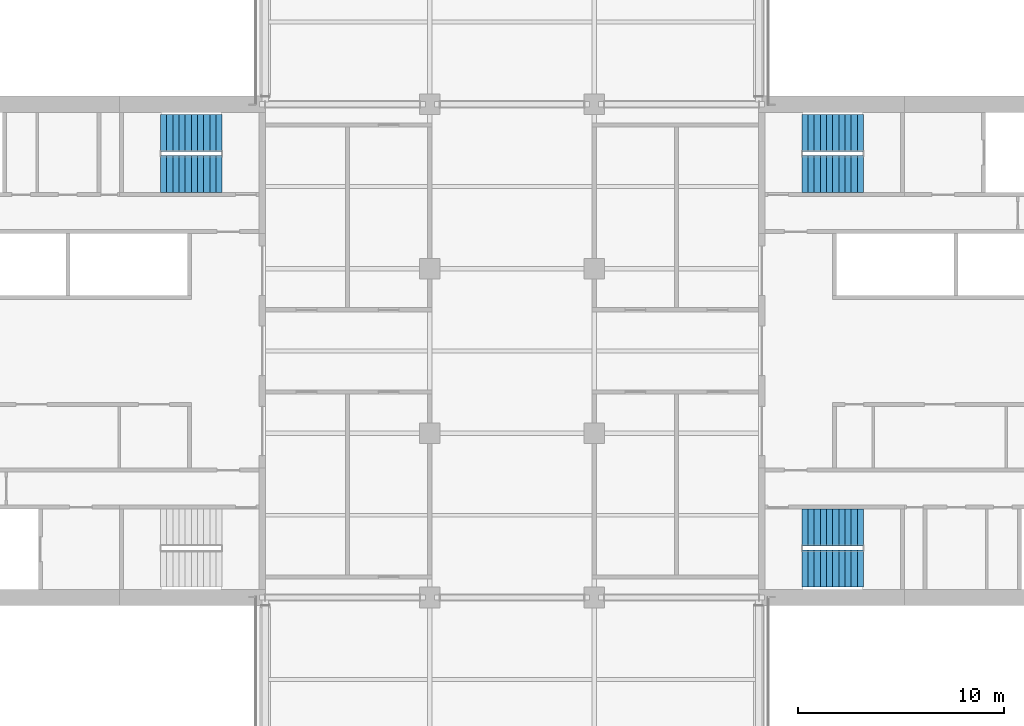
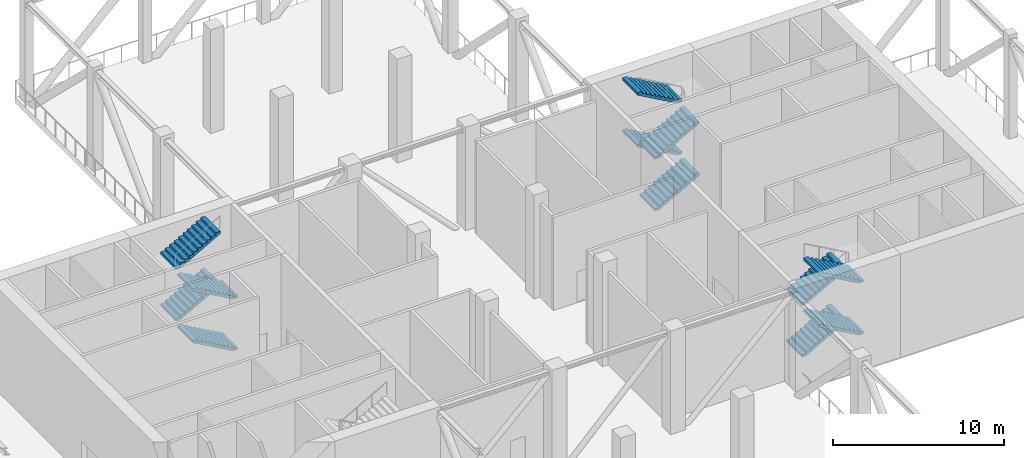
# One storey, part 7 of 18: 12 stair flights, 3 elements without a shape of their own.
"""IFC4 building model written with IfcOpenShell, lengths in metres."""

from ifc_helpers import new_model, si_unit, direction, frame, origin, place, context, subcontext, project, spatial, polyline, outline, extrude, material, type_object, element, aggregate, save


model = new_model("IFC4")

# Units and contexts
model_context = context("Model", 3, precision=1e-05, world=origin(), true_north=direction((0.0, 1.0)))
body_context = subcontext(model_context, "Body", "Model", "MODEL_VIEW")
ifc_project = project(units=[si_unit("LENGTHUNIT", "METRE"), si_unit("AREAUNIT", "SQUARE_METRE"), si_unit("VOLUMEUNIT", "CUBIC_METRE"), si_unit("PLANEANGLEUNIT", "RADIAN"), si_unit("MASSUNIT", "GRAM", prefix="KILO")], contexts=[model_context])

# Site, building, storey
site_placement = place(None, origin())
site = spatial("IfcSite", under=ifc_project, at=site_placement, CompositionType="ELEMENT")
building_placement = place(site_placement, origin())
building = spatial("IfcBuilding", under=site, at=building_placement, Name="Crosswind Convention Tower", CompositionType="ELEMENT")
storey_placement = place(building_placement, frame((0.0, 0.0, 105.300048828125)))
storey = spatial("IfcBuildingStorey", under=building, at=storey_placement, Name="L21", CompositionType="ELEMENT", Elevation=105.300048828125)

# Stair, stair flights
ifc_material = material(Name="Concrete C40/50", Category="concrete")
stair_type = type_object("IfcStairType", Name="Exit stair 1800 wide, 4 flights of 11 risers", PredefinedType="HALF_TURN_STAIR", material=ifc_material)
stair_1_placement = place(storey_placement, origin())
stair_1 = element("IfcStair", 1, at=stair_1_placement, inside=storey, type_object=stair_type, Name="Exit stair ST1 L21", ObjectType="ST6", PredefinedType="HALF_TURN_STAIR")
stair_flight_type = type_object("IfcStairFlightType", Name="Stair flight 1800 wide, 11 risers (SF3)", PredefinedType="STRAIGHT", material=ifc_material)
stair_flight_1_placement = place(storey_placement, frame((139.10009765625, 108.60009765625, 0.0), z_axis=(0.0, 0.0, 1.0), x_axis=(1.0, 0.0, 0.0)))
stair_flight_1 = element("IfcStairFlight", 2, at=stair_flight_1_placement, type_object=stair_flight_type, Name="ST1 flight 1", NumberOfRisers=11, NumberOfTreads=10, PredefinedType="STRAIGHT", RiserHeight=0.168181818, TreadLength=0.3, context=body_context, shape_type="SweptSolid", body=[
    extrude(outline(polyline([(0.0, 0.0), (0.0, 0.168212890625), (0.300048828125, 0.168212890625), (0.300048828125, 0.33642578125), (0.60009765625, 0.33642578125), (0.60009765625, 0.504638671875), (0.89990234375, 0.504638671875), (0.89990234375, 0.672607421875), (1.199951171875, 0.672607421875), (1.199951171875, 0.8408203125), (1.5, 0.8408203125), (1.5, 1.009033203125), (1.800048828125, 1.009033203125), (1.800048828125, 1.17724609375), (2.10009765625, 1.17724609375), (2.10009765625, 1.345458984375), (2.39990234375, 1.345458984375), (2.39990234375, 1.513671875), (2.699951171875, 1.513671875), (2.699951171875, 1.681884765625), (3.0, 1.681884765625), (3.0, 1.85009765625), (3.0, 1.510009765625), (0.306640625, 0.0), (0.0, 0.0)])), frame((0.0, 0.89990234375, 0.0), z_axis=(0.0, -1.0, 0.0), x_axis=(1.0, 0.0, 0.0)), (0.0, 0.0, 1.0), 1.800048828125),
])
stair_flight_2_placement = place(storey_placement, frame((142.10009765625, 110.60009765625, 1.849853515625), z_axis=(0.0, 0.0, 1.0), x_axis=(-1.0, 0.0, 0.0)))
stair_flight_2 = element("IfcStairFlight", 3, at=stair_flight_2_placement, type_object=stair_flight_type, Name="ST1 flight 2", NumberOfRisers=11, NumberOfTreads=10, PredefinedType="STRAIGHT", RiserHeight=0.168181818, TreadLength=0.3, context=body_context, shape_type="SweptSolid", body=[
    extrude(outline(polyline([(0.0, 0.0), (0.0, 0.168212890625), (0.300048828125, 0.168212890625), (0.300048828125, 0.33642578125), (0.60009765625, 0.33642578125), (0.60009765625, 0.504638671875), (0.89990234375, 0.504638671875), (0.89990234375, 0.672607421875), (1.199951171875, 0.672607421875), (1.199951171875, 0.8408203125), (1.5, 0.8408203125), (1.5, 1.009033203125), (1.800048828125, 1.009033203125), (1.800048828125, 1.17724609375), (2.10009765625, 1.17724609375), (2.10009765625, 1.345458984375), (2.39990234375, 1.345458984375), (2.39990234375, 1.513671875), (2.699951171875, 1.513671875), (2.699951171875, 1.681884765625), (3.0, 1.681884765625), (3.0, 1.85009765625), (3.0, 1.510009765625), (0.306640625, 0.0), (0.0, 0.0)])), frame((0.0, 0.89990234375, 0.0), z_axis=(0.0, -1.0, 0.0), x_axis=(1.0, 0.0, 0.0)), (0.0, 0.0, 1.0), 1.800048828125),
])
stair_flight_3_placement = place(storey_placement, frame((139.10009765625, 108.60009765625, 3.699951171875), z_axis=(0.0, 0.0, 1.0), x_axis=(1.0, 0.0, 0.0)))
stair_flight_3 = element("IfcStairFlight", 4, at=stair_flight_3_placement, type_object=stair_flight_type, Name="ST1 flight 3", NumberOfRisers=11, NumberOfTreads=10, PredefinedType="STRAIGHT", RiserHeight=0.168181818, TreadLength=0.3, context=body_context, shape_type="SweptSolid", body=[
    extrude(outline(polyline([(0.0, 0.0), (0.0, 0.168212890625), (0.300048828125, 0.168212890625), (0.300048828125, 0.33642578125), (0.60009765625, 0.33642578125), (0.60009765625, 0.504638671875), (0.89990234375, 0.504638671875), (0.89990234375, 0.672607421875), (1.199951171875, 0.672607421875), (1.199951171875, 0.8408203125), (1.5, 0.8408203125), (1.5, 1.009033203125), (1.800048828125, 1.009033203125), (1.800048828125, 1.17724609375), (2.10009765625, 1.17724609375), (2.10009765625, 1.345458984375), (2.39990234375, 1.345458984375), (2.39990234375, 1.513671875), (2.699951171875, 1.513671875), (2.699951171875, 1.681884765625), (3.0, 1.681884765625), (3.0, 1.85009765625), (3.0, 1.510009765625), (0.306640625, 0.0), (0.0, 0.0)])), frame((0.0, 0.89990234375, 0.0), z_axis=(0.0, -1.0, 0.0), x_axis=(1.0, 0.0, 0.0)), (0.0, 0.0, 1.0), 1.800048828125),
])
stair_flight_4_placement = place(storey_placement, frame((142.10009765625, 110.60009765625, 5.550048828125), z_axis=(0.0, 0.0, 1.0), x_axis=(-1.0, 0.0, 0.0)))
stair_flight_4 = element("IfcStairFlight", 5, at=stair_flight_4_placement, type_object=stair_flight_type, Name="ST1 flight 4", NumberOfRisers=11, NumberOfTreads=10, PredefinedType="STRAIGHT", RiserHeight=0.168181818, TreadLength=0.3, context=body_context, shape_type="SweptSolid", body=[
    extrude(outline(polyline([(0.0, 0.0), (0.0, 0.168212890625), (0.300048828125, 0.168212890625), (0.300048828125, 0.33642578125), (0.60009765625, 0.33642578125), (0.60009765625, 0.504638671875), (0.89990234375, 0.504638671875), (0.89990234375, 0.672607421875), (1.199951171875, 0.672607421875), (1.199951171875, 0.8408203125), (1.5, 0.8408203125), (1.5, 1.009033203125), (1.800048828125, 1.009033203125), (1.800048828125, 1.17724609375), (2.10009765625, 1.17724609375), (2.10009765625, 1.345458984375), (2.39990234375, 1.345458984375), (2.39990234375, 1.513671875), (2.699951171875, 1.513671875), (2.699951171875, 1.681884765625), (3.0, 1.681884765625), (3.0, 1.85009765625), (3.0, 1.510009765625), (0.306640625, 0.0), (0.0, 0.0)])), frame((0.0, 0.89990234375, 0.0), z_axis=(0.0, -1.0, 0.0), x_axis=(1.0, 0.0, 0.0)), (0.0, 0.0, 1.0), 1.800048828125),
])
aggregate(stair_1, [stair_flight_1, stair_flight_2, stair_flight_3, stair_flight_4])

stair_2_placement = place(storey_placement, origin())
stair_2 = element("IfcStair", 6, at=stair_2_placement, inside=storey, type_object=stair_type, Name="Exit stair ST2 L21", ObjectType="ST6", PredefinedType="HALF_TURN_STAIR")
stair_flight_5_placement = place(storey_placement, frame((139.10009765625, 91.39990234375, 0.0), z_axis=(0.0, 0.0, 1.0), x_axis=(1.0, 0.0, 0.0)))
stair_flight_5 = element("IfcStairFlight", 7, at=stair_flight_5_placement, type_object=stair_flight_type, Name="ST2 flight 1", NumberOfRisers=11, NumberOfTreads=10, PredefinedType="STRAIGHT", RiserHeight=0.168181818, TreadLength=0.3, context=body_context, shape_type="SweptSolid", body=[
    extrude(outline(polyline([(0.0, 0.0), (0.0, 0.168212890625), (0.300048828125, 0.168212890625), (0.300048828125, 0.33642578125), (0.60009765625, 0.33642578125), (0.60009765625, 0.504638671875), (0.89990234375, 0.504638671875), (0.89990234375, 0.672607421875), (1.199951171875, 0.672607421875), (1.199951171875, 0.8408203125), (1.5, 0.8408203125), (1.5, 1.009033203125), (1.800048828125, 1.009033203125), (1.800048828125, 1.17724609375), (2.10009765625, 1.17724609375), (2.10009765625, 1.345458984375), (2.39990234375, 1.345458984375), (2.39990234375, 1.513671875), (2.699951171875, 1.513671875), (2.699951171875, 1.681884765625), (3.0, 1.681884765625), (3.0, 1.85009765625), (3.0, 1.510009765625), (0.306640625, 0.0), (0.0, 0.0)])), frame((0.0, 0.89990234375, 0.0), z_axis=(0.0, -1.0, 0.0), x_axis=(1.0, 0.0, 0.0)), (0.0, 0.0, 1.0), 1.800048828125),
])
stair_flight_6_placement = place(storey_placement, frame((142.10009765625, 89.39990234375, 1.849853515625), z_axis=(0.0, 0.0, 1.0), x_axis=(-1.0, 0.0, 0.0)))
stair_flight_6 = element("IfcStairFlight", 8, at=stair_flight_6_placement, type_object=stair_flight_type, Name="ST2 flight 2", NumberOfRisers=11, NumberOfTreads=10, PredefinedType="STRAIGHT", RiserHeight=0.168181818, TreadLength=0.3, context=body_context, shape_type="SweptSolid", body=[
    extrude(outline(polyline([(0.0, 0.0), (0.0, 0.168212890625), (0.300048828125, 0.168212890625), (0.300048828125, 0.33642578125), (0.60009765625, 0.33642578125), (0.60009765625, 0.504638671875), (0.89990234375, 0.504638671875), (0.89990234375, 0.672607421875), (1.199951171875, 0.672607421875), (1.199951171875, 0.8408203125), (1.5, 0.8408203125), (1.5, 1.009033203125), (1.800048828125, 1.009033203125), (1.800048828125, 1.17724609375), (2.10009765625, 1.17724609375), (2.10009765625, 1.345458984375), (2.39990234375, 1.345458984375), (2.39990234375, 1.513671875), (2.699951171875, 1.513671875), (2.699951171875, 1.681884765625), (3.0, 1.681884765625), (3.0, 1.85009765625), (3.0, 1.510009765625), (0.306640625, 0.0), (0.0, 0.0)])), frame((0.0, 0.89990234375, 0.0), z_axis=(0.0, -1.0, 0.0), x_axis=(1.0, 0.0, 0.0)), (0.0, 0.0, 1.0), 1.800048828125),
])
stair_flight_7_placement = place(storey_placement, frame((139.10009765625, 91.39990234375, 3.699951171875), z_axis=(0.0, 0.0, 1.0), x_axis=(1.0, 0.0, 0.0)))
stair_flight_7 = element("IfcStairFlight", 9, at=stair_flight_7_placement, type_object=stair_flight_type, Name="ST2 flight 3", NumberOfRisers=11, NumberOfTreads=10, PredefinedType="STRAIGHT", RiserHeight=0.168181818, TreadLength=0.3, context=body_context, shape_type="SweptSolid", body=[
    extrude(outline(polyline([(0.0, 0.0), (0.0, 0.168212890625), (0.300048828125, 0.168212890625), (0.300048828125, 0.33642578125), (0.60009765625, 0.33642578125), (0.60009765625, 0.504638671875), (0.89990234375, 0.504638671875), (0.89990234375, 0.672607421875), (1.199951171875, 0.672607421875), (1.199951171875, 0.8408203125), (1.5, 0.8408203125), (1.5, 1.009033203125), (1.800048828125, 1.009033203125), (1.800048828125, 1.17724609375), (2.10009765625, 1.17724609375), (2.10009765625, 1.345458984375), (2.39990234375, 1.345458984375), (2.39990234375, 1.513671875), (2.699951171875, 1.513671875), (2.699951171875, 1.681884765625), (3.0, 1.681884765625), (3.0, 1.85009765625), (3.0, 1.510009765625), (0.306640625, 0.0), (0.0, 0.0)])), frame((0.0, 0.89990234375, 0.0), z_axis=(0.0, -1.0, 0.0), x_axis=(1.0, 0.0, 0.0)), (0.0, 0.0, 1.0), 1.800048828125),
])
stair_flight_8_placement = place(storey_placement, frame((142.10009765625, 89.39990234375, 5.550048828125), z_axis=(0.0, 0.0, 1.0), x_axis=(-1.0, 0.0, 0.0)))
stair_flight_8 = element("IfcStairFlight", 10, at=stair_flight_8_placement, type_object=stair_flight_type, Name="ST2 flight 4", NumberOfRisers=11, NumberOfTreads=10, PredefinedType="STRAIGHT", RiserHeight=0.168181818, TreadLength=0.3, context=body_context, shape_type="SweptSolid", body=[
    extrude(outline(polyline([(0.0, 0.0), (0.0, 0.168212890625), (0.300048828125, 0.168212890625), (0.300048828125, 0.33642578125), (0.60009765625, 0.33642578125), (0.60009765625, 0.504638671875), (0.89990234375, 0.504638671875), (0.89990234375, 0.672607421875), (1.199951171875, 0.672607421875), (1.199951171875, 0.8408203125), (1.5, 0.8408203125), (1.5, 1.009033203125), (1.800048828125, 1.009033203125), (1.800048828125, 1.17724609375), (2.10009765625, 1.17724609375), (2.10009765625, 1.345458984375), (2.39990234375, 1.345458984375), (2.39990234375, 1.513671875), (2.699951171875, 1.513671875), (2.699951171875, 1.681884765625), (3.0, 1.681884765625), (3.0, 1.85009765625), (3.0, 1.510009765625), (0.306640625, 0.0), (0.0, 0.0)])), frame((0.0, 0.89990234375, 0.0), z_axis=(0.0, -1.0, 0.0), x_axis=(1.0, 0.0, 0.0)), (0.0, 0.0, 1.0), 1.800048828125),
])
aggregate(stair_2, [stair_flight_5, stair_flight_6, stair_flight_7, stair_flight_8])

stair_3_placement = place(storey_placement, origin())
stair_3 = element("IfcStair", 11, at=stair_3_placement, inside=storey, type_object=stair_type, Name="Exit stair ST4 L21", ObjectType="ST6", PredefinedType="HALF_TURN_STAIR")
stair_flight_9_placement = place(storey_placement, frame((110.89990234375, 108.60009765625, 0.0), z_axis=(0.0, 0.0, 1.0), x_axis=(-1.0, 0.0, 0.0)))
stair_flight_9 = element("IfcStairFlight", 12, at=stair_flight_9_placement, type_object=stair_flight_type, Name="ST4 flight 1", NumberOfRisers=11, NumberOfTreads=10, PredefinedType="STRAIGHT", RiserHeight=0.168181818, TreadLength=0.3, context=body_context, shape_type="SweptSolid", body=[
    extrude(outline(polyline([(0.0, 0.0), (0.0, 0.168212890625), (0.300048828125, 0.168212890625), (0.300048828125, 0.33642578125), (0.60009765625, 0.33642578125), (0.60009765625, 0.504638671875), (0.89990234375, 0.504638671875), (0.89990234375, 0.672607421875), (1.199951171875, 0.672607421875), (1.199951171875, 0.8408203125), (1.5, 0.8408203125), (1.5, 1.009033203125), (1.800048828125, 1.009033203125), (1.800048828125, 1.17724609375), (2.10009765625, 1.17724609375), (2.10009765625, 1.345458984375), (2.39990234375, 1.345458984375), (2.39990234375, 1.513671875), (2.699951171875, 1.513671875), (2.699951171875, 1.681884765625), (3.0, 1.681884765625), (3.0, 1.85009765625), (3.0, 1.510009765625), (0.306640625, 0.0), (0.0, 0.0)])), frame((0.0, 0.89990234375, 0.0), z_axis=(0.0, -1.0, 0.0), x_axis=(1.0, 0.0, 0.0)), (0.0, 0.0, 1.0), 1.800048828125),
])
stair_flight_10_placement = place(storey_placement, frame((107.89990234375, 110.60009765625, 1.849853515625), z_axis=(0.0, 0.0, 1.0), x_axis=(1.0, 0.0, 0.0)))
stair_flight_10 = element("IfcStairFlight", 13, at=stair_flight_10_placement, type_object=stair_flight_type, Name="ST4 flight 2", NumberOfRisers=11, NumberOfTreads=10, PredefinedType="STRAIGHT", RiserHeight=0.168181818, TreadLength=0.3, context=body_context, shape_type="SweptSolid", body=[
    extrude(outline(polyline([(0.0, 0.0), (0.0, 0.168212890625), (0.300048828125, 0.168212890625), (0.300048828125, 0.33642578125), (0.60009765625, 0.33642578125), (0.60009765625, 0.504638671875), (0.89990234375, 0.504638671875), (0.89990234375, 0.672607421875), (1.199951171875, 0.672607421875), (1.199951171875, 0.8408203125), (1.5, 0.8408203125), (1.5, 1.009033203125), (1.800048828125, 1.009033203125), (1.800048828125, 1.17724609375), (2.10009765625, 1.17724609375), (2.10009765625, 1.345458984375), (2.39990234375, 1.345458984375), (2.39990234375, 1.513671875), (2.699951171875, 1.513671875), (2.699951171875, 1.681884765625), (3.0, 1.681884765625), (3.0, 1.85009765625), (3.0, 1.510009765625), (0.306640625, 0.0), (0.0, 0.0)])), frame((0.0, 0.89990234375, 0.0), z_axis=(0.0, -1.0, 0.0), x_axis=(1.0, 0.0, 0.0)), (0.0, 0.0, 1.0), 1.800048828125),
])
stair_flight_11_placement = place(storey_placement, frame((110.89990234375, 108.60009765625, 3.699951171875), z_axis=(0.0, 0.0, 1.0), x_axis=(-1.0, 0.0, 0.0)))
stair_flight_11 = element("IfcStairFlight", 14, at=stair_flight_11_placement, type_object=stair_flight_type, Name="ST4 flight 3", NumberOfRisers=11, NumberOfTreads=10, PredefinedType="STRAIGHT", RiserHeight=0.168181818, TreadLength=0.3, context=body_context, shape_type="SweptSolid", body=[
    extrude(outline(polyline([(0.0, 0.0), (0.0, 0.168212890625), (0.300048828125, 0.168212890625), (0.300048828125, 0.33642578125), (0.60009765625, 0.33642578125), (0.60009765625, 0.504638671875), (0.89990234375, 0.504638671875), (0.89990234375, 0.672607421875), (1.199951171875, 0.672607421875), (1.199951171875, 0.8408203125), (1.5, 0.8408203125), (1.5, 1.009033203125), (1.800048828125, 1.009033203125), (1.800048828125, 1.17724609375), (2.10009765625, 1.17724609375), (2.10009765625, 1.345458984375), (2.39990234375, 1.345458984375), (2.39990234375, 1.513671875), (2.699951171875, 1.513671875), (2.699951171875, 1.681884765625), (3.0, 1.681884765625), (3.0, 1.85009765625), (3.0, 1.510009765625), (0.306640625, 0.0), (0.0, 0.0)])), frame((0.0, 0.89990234375, 0.0), z_axis=(0.0, -1.0, 0.0), x_axis=(1.0, 0.0, 0.0)), (0.0, 0.0, 1.0), 1.800048828125),
])
stair_flight_12_placement = place(storey_placement, frame((107.89990234375, 110.60009765625, 5.550048828125), z_axis=(0.0, 0.0, 1.0), x_axis=(1.0, 0.0, 0.0)))
stair_flight_12 = element("IfcStairFlight", 15, at=stair_flight_12_placement, type_object=stair_flight_type, Name="ST4 flight 4", NumberOfRisers=11, NumberOfTreads=10, PredefinedType="STRAIGHT", RiserHeight=0.168181818, TreadLength=0.3, context=body_context, shape_type="SweptSolid", body=[
    extrude(outline(polyline([(0.0, 0.0), (0.0, 0.168212890625), (0.300048828125, 0.168212890625), (0.300048828125, 0.33642578125), (0.60009765625, 0.33642578125), (0.60009765625, 0.504638671875), (0.89990234375, 0.504638671875), (0.89990234375, 0.672607421875), (1.199951171875, 0.672607421875), (1.199951171875, 0.8408203125), (1.5, 0.8408203125), (1.5, 1.009033203125), (1.800048828125, 1.009033203125), (1.800048828125, 1.17724609375), (2.10009765625, 1.17724609375), (2.10009765625, 1.345458984375), (2.39990234375, 1.345458984375), (2.39990234375, 1.513671875), (2.699951171875, 1.513671875), (2.699951171875, 1.681884765625), (3.0, 1.681884765625), (3.0, 1.85009765625), (3.0, 1.510009765625), (0.306640625, 0.0), (0.0, 0.0)])), frame((0.0, 0.89990234375, 0.0), z_axis=(0.0, -1.0, 0.0), x_axis=(1.0, 0.0, 0.0)), (0.0, 0.0, 1.0), 1.800048828125),
])
aggregate(stair_3, [stair_flight_9, stair_flight_10, stair_flight_11, stair_flight_12])

save(model, "model.ifc")
